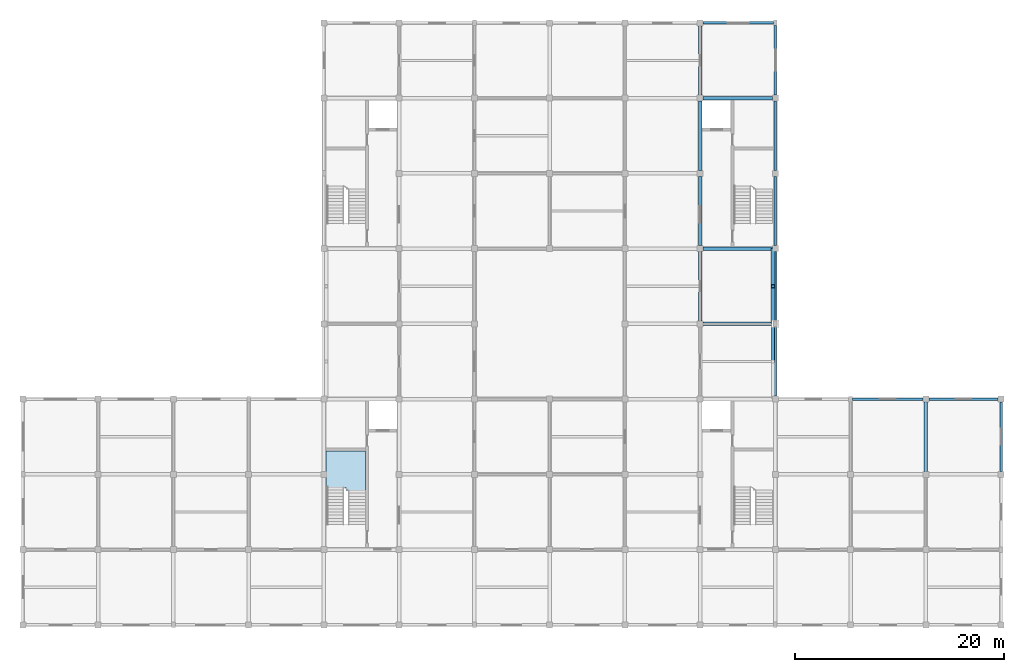
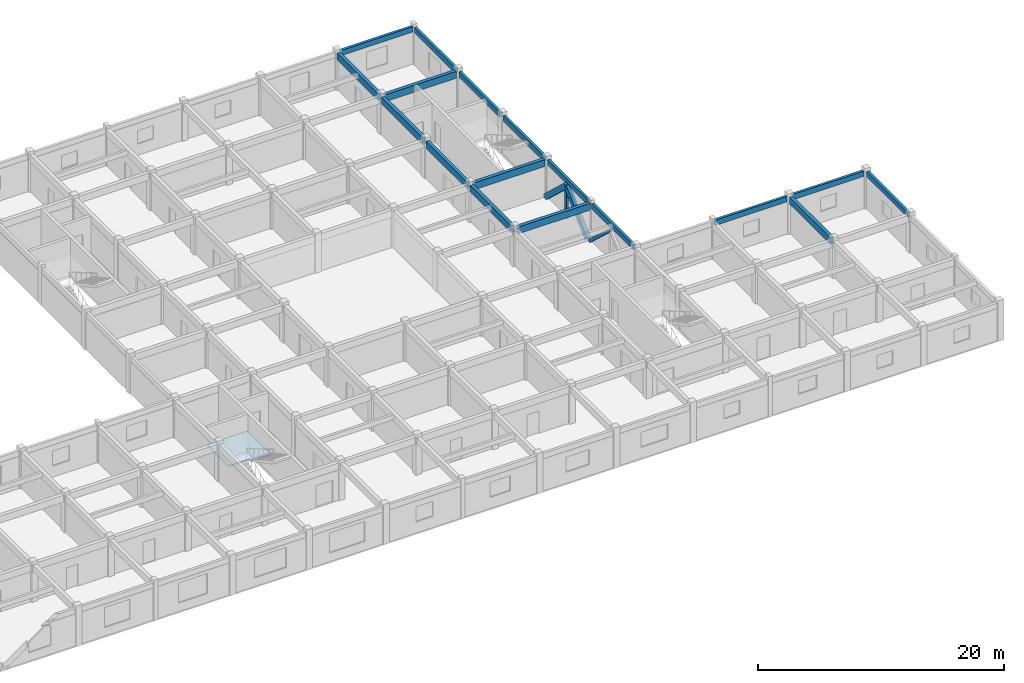
# One storey, part 3 of 10: 17 beams, 4 members, 1 slab, 1 element without a shape of its own.
"""IFC4 building model written with IfcOpenShell, lengths in metres."""

from ifc_helpers import new_model, si_unit, direction, frame, origin, origin_2d, place, context, subcontext, project, spatial, polyline, rectangle, outline, extrude, material, layer, layer_set, material_profile, profile_set, type_object, element, aggregate, save


model = new_model("IFC4")

# Units and contexts
model_context = context("Model", 3, precision=1e-05, world=origin(), true_north=direction((0.0, 1.0)))
body_context = subcontext(model_context, "Body", "Model", "MODEL_VIEW")
ifc_project = project(units=[si_unit("LENGTHUNIT", "METRE"), si_unit("AREAUNIT", "SQUARE_METRE"), si_unit("VOLUMEUNIT", "CUBIC_METRE"), si_unit("PLANEANGLEUNIT", "RADIAN"), si_unit("MASSUNIT", "GRAM", prefix="KILO")], contexts=[model_context])

# Site, building, storey
site_placement = place(None, origin())
site = spatial("IfcSite", under=ifc_project, at=site_placement, CompositionType="ELEMENT")
building_placement = place(site_placement, origin())
building = spatial("IfcBuilding", under=site, at=building_placement, Name="Cendaluz Park School", CompositionType="ELEMENT")
storey_placement = place(building_placement, frame((0.0, 0.0, 38.800048828125)))
storey = spatial("IfcBuildingStorey", under=building, at=storey_placement, Name="L09", CompositionType="ELEMENT", Elevation=38.800048828125)

# Beams
ifc_material_1 = material(Name="Glulam GL28h", Category="wood")
ifc_material_profile_1 = material_profile(ifc_material_1, rectangle(XDim=0.320068359375, YDim=0.679931640625, at=origin_2d()), Name="GL28h 320x680", Category="wood")
ifc_profile_set_1 = profile_set([ifc_material_profile_1], Name="Glulam GL28h")
beam_type_1 = type_object("IfcBeamType", Name="BM-GL01", PredefinedType="BEAM", material=ifc_profile_set_1)
beam_1_placement = place(storey_placement, frame((101.080078125, 36.0, 3.349853515625), z_axis=(1.0, 0.0, 0.0), x_axis=(0.0, 1.0, 0.0)))
element("IfcBeam", 1, at=beam_1_placement, inside=storey, type_object=beam_type_1, Name="BM-L09-BMGL01-0061", PredefinedType="BEAM", context=body_context, shape_type="SweptSolid", body=[
    extrude(rectangle(XDim=0.320068359375, YDim=0.679931640625, at=origin_2d()), origin(), (0.0, 0.0, 1.0), 6.739990234375),
])
for number, where, z_axis, x_axis, name in (
    (2, (101.080078125, 43.199951171875, 3.349853515625), (1.0, 0.0, 0.0), (0.0, 1.0, 0.0), "BM-L09-BMGL01-0062"),
    (3, (101.080078125, 57.60009765625, 3.349853515625), (1.0, 0.0, 0.0), (0.0, 1.0, 0.0), "BM-L09-BMGL01-0063"),
    (4, (100.800048828125, 36.280029296875, 3.349853515625), (0.0, 1.0, 0.0), (-1.0, 0.0, 0.0), "BM-L09-BMGL01-0131"),
):
    element("IfcBeam", number, at=place(storey_placement, frame(where, z_axis=z_axis, x_axis=x_axis)), inside=storey, type_object=beam_type_1, Name=name, PredefinedType="BEAM", context=body_context, shape_type="SweptSolid", body=[
        extrude(rectangle(XDim=0.320068359375, YDim=0.679931640625, at=origin_2d()), origin(), (0.0, 0.0, 1.0), 6.639892578125),
    ])
for number, where, z_axis, x_axis, name in (
    (5, (100.800048828125, 43.47998046875, 3.349853515625), (0.0, 1.0, 0.0), (-1.0, 0.0, 0.0), "BM-L09-BMGL01-0132"),
    (6, (100.800048828125, 50.679931640625, 3.349853515625), (0.0, 1.0, 0.0), (-1.0, 0.0, 0.0), "BM-L09-BMGL01-0133"),
    (7, (100.800048828125, 57.8798828125, 3.349853515625), (0.0, 1.0, 0.0), (-1.0, 0.0, 0.0), "BM-L09-BMGL01-0134"),
    (8, (122.39990234375, 21.8798828125, 3.349853515625), (0.0, 1.0, 0.0), (-1.0, 0.0, 0.0), "BM-L09-BMGL01-0148"),
):
    element("IfcBeam", number, at=place(storey_placement, frame(where, z_axis=z_axis, x_axis=x_axis)), inside=storey, type_object=beam_type_1, Name=name, PredefinedType="BEAM", context=body_context, shape_type="SweptSolid", body=[
        extrude(rectangle(XDim=0.320068359375, YDim=0.679931640625, at=origin_2d()), origin(), (0.0, 0.0, 1.0), 6.64013671875),
    ])
ifc_material_profile_2 = material_profile(ifc_material_1, rectangle(XDim=0.239990234375, YDim=0.52001953125, at=origin_2d()), Name="GL28h 240x520", Category="wood")
ifc_profile_set_2 = profile_set([ifc_material_profile_2], Name="Glulam GL28h")
beam_type_2 = type_object("IfcBeamType", Name="BM-GL03", PredefinedType="SPANDREL", material=ifc_profile_set_2)
beam_2_placement = place(storey_placement, frame((101.080078125, 64.800048828125, 3.429931640625), z_axis=(1.0, 0.0, 0.0), x_axis=(0.0, 1.0, 0.0)))
element("IfcBeam", 9, at=beam_2_placement, inside=storey, type_object=beam_type_2, Name="BM-L09-BMGL03-0064", PredefinedType="SPANDREL", context=body_context, shape_type="SweptSolid", body=[
    extrude(rectangle(XDim=0.239990234375, YDim=0.52001953125, at=origin_2d()), origin(), (0.0, 0.0, 1.0), 6.739990234375),
])
beam_3_placement = place(storey_placement, frame((115.3798828125, 28.800048828125, 3.429931640625), z_axis=(1.0, 0.0, 0.0), x_axis=(0.0, 1.0, 0.0)))
element("IfcBeam", 10, at=beam_3_placement, inside=storey, type_object=beam_type_2, Name="BM-L09-BMGL03-0072", PredefinedType="SPANDREL", context=body_context, shape_type="SweptSolid", body=[
    extrude(rectangle(XDim=0.239990234375, YDim=0.52001953125, at=origin_2d()), origin(), (0.0, 0.0, 1.0), 6.740234375),
])
beam_4_placement = place(storey_placement, frame((122.679931640625, 28.800048828125, 3.429931640625), z_axis=(1.0, 0.0, 0.0), x_axis=(0.0, 1.0, 0.0)))
element("IfcBeam", 11, at=beam_4_placement, inside=storey, type_object=beam_type_2, Name="BM-L09-BMGL03-0076", PredefinedType="SPANDREL", context=body_context, shape_type="SweptSolid", body=[
    extrude(rectangle(XDim=0.239990234375, YDim=0.52001953125, at=origin_2d()), origin(), (0.0, 0.0, 1.0), 6.64013671875),
])
for number, where, z_axis, x_axis, name in (
    (12, (108.0, 29.080078125, 3.429931640625), (0.0, 1.0, 0.0), (-1.0, 0.0, 0.0), "BM-L09-BMGL03-0138"),
    (13, (108.0, 36.260009765625, 3.429931640625), (0.0, 1.0, 0.0), (-1.0, 0.0, 0.0), "BM-L09-BMGL03-0139"),
):
    element("IfcBeam", number, at=place(storey_placement, frame(where, z_axis=z_axis, x_axis=x_axis)), inside=storey, type_object=beam_type_2, Name=name, PredefinedType="SPANDREL", context=body_context, shape_type="SweptSolid", body=[
        extrude(rectangle(XDim=0.239990234375, YDim=0.52001953125, at=origin_2d()), origin(), (0.0, 0.0, 1.0), 6.659912109375),
    ])
for number, where, z_axis, x_axis, name in (
    (14, (108.0, 43.47998046875, 3.429931640625), (0.0, 1.0, 0.0), (-1.0, 0.0, 0.0), "BM-L09-BMGL03-0140"),
    (15, (108.0, 50.679931640625, 3.429931640625), (0.0, 1.0, 0.0), (-1.0, 0.0, 0.0), "BM-L09-BMGL03-0141"),
):
    element("IfcBeam", number, at=place(storey_placement, frame(where, z_axis=z_axis, x_axis=x_axis)), inside=storey, type_object=beam_type_2, Name=name, PredefinedType="SPANDREL", context=body_context, shape_type="SweptSolid", body=[
        extrude(rectangle(XDim=0.239990234375, YDim=0.52001953125, at=origin_2d()), origin(), (0.0, 0.0, 1.0), 6.64013671875),
    ])
beam_5_placement = place(storey_placement, frame((108.0, 57.8798828125, 3.429931640625), z_axis=(0.0, 1.0, 0.0), x_axis=(-1.0, 0.0, 0.0)))
element("IfcBeam", 16, at=beam_5_placement, inside=storey, type_object=beam_type_2, Name="BM-L09-BMGL03-0142", PredefinedType="SPANDREL", context=body_context, shape_type="SweptSolid", body=[
    extrude(rectangle(XDim=0.239990234375, YDim=0.52001953125, at=origin_2d()), origin(), (0.0, 0.0, 1.0), 6.66015625),
])
beam_6_placement = place(storey_placement, frame((129.60009765625, 21.8798828125, 3.429931640625), z_axis=(0.0, 1.0, 0.0), x_axis=(-1.0, 0.0, 0.0)))
element("IfcBeam", 17, at=beam_6_placement, inside=storey, type_object=beam_type_2, Name="BM-L09-BMGL03-0151", PredefinedType="SPANDREL", context=body_context, shape_type="SweptSolid", body=[
    extrude(rectangle(XDim=0.239990234375, YDim=0.52001953125, at=origin_2d()), origin(), (0.0, 0.0, 1.0), 6.64013671875),
])

# Members
ifc_material_2 = material(Name="Glulam GL32h", Category="wood")
ifc_material_profile_3 = material_profile(ifc_material_2, rectangle(XDim=0.300048828125, YDim=0.300048828125, at=origin_2d()), Name="GL32h 300x300", Category="wood")
ifc_profile_set_3 = profile_set([ifc_material_profile_3], Name="Glulam GL32h")
member_type_1 = type_object("IfcMemberType", Name="MBR-03", PredefinedType="BRACE", material=ifc_profile_set_3)
member_1_placement = place(storey_placement, frame((107.780029296875, 35.820068359375, 0.0), z_axis=(0.0, -0.731291309336, 0.682065261459), x_axis=(1.0, 0.0, 0.0)))
element("IfcMember", 18, at=member_1_placement, inside=storey, type_object=member_type_1, Name="MB-L09-MBBR03-0005", PredefinedType="BRACE", context=body_context, shape_type="SweptSolid", body=[
    extrude(rectangle(XDim=0.300048828125, YDim=0.300048828125, at=origin_2d()), origin(), (0.0, 0.0, 1.0), 4.677001953125),
])
ifc_material_profile_4 = material_profile(ifc_material_2, rectangle(XDim=0.360107421875, YDim=0.52001953125, at=origin_2d()), Name="GL32h 360x520", Category="wood")
ifc_profile_set_4 = profile_set([ifc_material_profile_4], Name="Glulam GL32h")
member_type_2 = type_object("IfcMemberType", Name="MBR-04", PredefinedType="BRACE", material=ifc_profile_set_4)
member_2_placement = place(storey_placement, frame((107.780029296875, 36.179931640625, 0.0), z_axis=(0.0, 0.731291309336, 0.682065261459), x_axis=(-1.0, 0.0, 0.0)))
element("IfcMember", 19, at=member_2_placement, inside=storey, type_object=member_type_2, Name="MB-L09-MBBR04-0010", PredefinedType="BRACE", context=body_context, shape_type="SweptSolid", body=[
    extrude(rectangle(XDim=0.360107421875, YDim=0.52001953125, at=origin_2d()), origin(), (0.0, 0.0, 1.0), 4.677001953125),
])
member_3_placement = place(storey_placement, frame((107.780029296875, 43.02001953125, 0.0), z_axis=(0.0, -0.731267023111, 0.682091299541), x_axis=(1.0, 0.0, 0.0)))
element("IfcMember", 20, at=member_3_placement, inside=storey, type_object=member_type_2, Name="MB-L09-MBBR04-0011", PredefinedType="BRACE", context=body_context, shape_type="SweptSolid", body=[
    extrude(rectangle(XDim=0.360107421875, YDim=0.52001953125, at=origin_2d()), origin(), (0.0, 0.0, 1.0), 4.6767578125),
])
ifc_material_profile_5 = material_profile(ifc_material_2, rectangle(XDim=0.260009765625, YDim=0.260009765625, at=origin_2d()), Name="GL32h 260x260", Category="wood")
ifc_profile_set_5 = profile_set([ifc_material_profile_5], Name="Glulam GL32h")
member_type_3 = type_object("IfcMemberType", Name="MST-03", PredefinedType="STRUT", material=ifc_profile_set_5)
member_4_placement = place(storey_placement, frame((107.780029296875, 39.60009765625, 0.0), z_axis=(0.0, 0.0, 1.0), x_axis=(1.0, 0.0, 0.0)))
element("IfcMember", 21, at=member_4_placement, inside=storey, type_object=member_type_3, Name="MB-L09-MBST03-0012", PredefinedType="STRUT", context=body_context, shape_type="SweptSolid", body=[
    extrude(rectangle(XDim=0.260009765625, YDim=0.260009765625, at=origin_2d()), origin(), (0.0, 0.0, 1.0), 3.18994140625),
])

# Stair, slab
ifc_material_3 = material(Name="Cross-laminated timber CLT C24", Category="wood")
stair_type = type_object("IfcStairType", Name="ST-400-165", PredefinedType="HALF_TURN_STAIR", material=ifc_material_3)
stair_placement = place(storey_placement, origin())
stair = element("IfcStair", 22, at=stair_placement, inside=storey, type_object=stair_type, Name="ST-L09-C1", PredefinedType="HALF_TURN_STAIR")
ifc_layer = layer(ifc_material_3, 0.179931640625)
ifc_layer_set = layer_set([ifc_layer], Name="Cross-laminated timber CLT C24")
slab_type = type_object("IfcSlabType", Name="SL-LD-180", PredefinedType="LANDING", material=ifc_layer_set)
slab_placement = place(storey_placement, frame((0.0, 0.0, 1.89990234375)))
slab = element("IfcSlab", 23, at=slab_placement, type_object=slab_type, Name="SL-LD-L09-C1", PredefinedType="LANDING", context=body_context, shape_type="SweptSolid", body=[
    extrude(outline(polyline([(64.989990234375, 20.360107421875), (66.925048828125, 20.360107421875), (66.925048828125, 20.06005859375), (68.77001953125, 20.06005859375), (68.77001953125, 23.860107421875), (64.989990234375, 23.860107421875), (64.989990234375, 20.360107421875)])), origin(), (0.0, 0.0, 1.0), 0.179931640625),
])
aggregate(stair, [slab])

save(model, "model.ifc")
